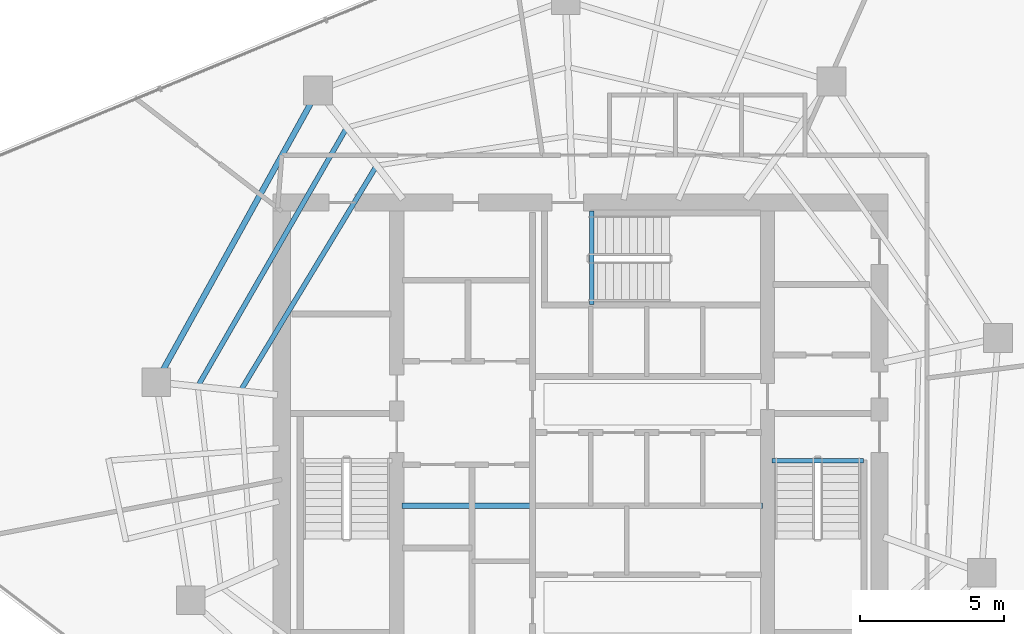
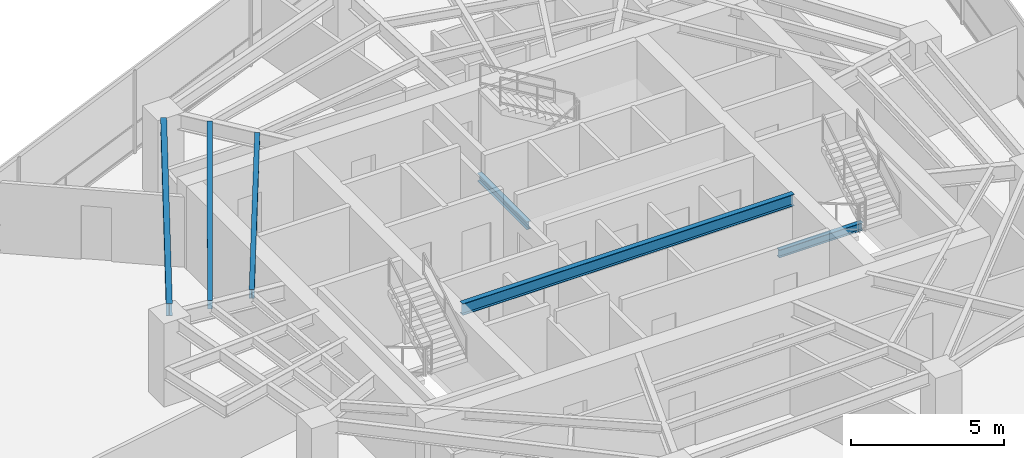
# One storey, part 7 of 20: 6 beams.
"""IFC4 building model written with IfcOpenShell, lengths in metres."""

from ifc_helpers import new_model, si_unit, direction, frame, origin, origin_2d, place, context, subcontext, project, spatial, i_section, extrude, material, material_profile, profile_set, type_object, element, save


model = new_model("IFC4")

# Units and contexts
model_context = context("Model", 3, precision=1e-05, world=origin(), true_north=direction((0.0, 1.0)))
body_context = subcontext(model_context, "Body", "Model", "MODEL_VIEW")
ifc_project = project(units=[si_unit("LENGTHUNIT", "METRE"), si_unit("AREAUNIT", "SQUARE_METRE"), si_unit("VOLUMEUNIT", "CUBIC_METRE"), si_unit("PLANEANGLEUNIT", "RADIAN"), si_unit("MASSUNIT", "GRAM", prefix="KILO")], contexts=[model_context])

# Site, building, storey
site_placement = place(None, origin())
site = spatial("IfcSite", under=ifc_project, at=site_placement, CompositionType="ELEMENT")
building_placement = place(site_placement, origin())
building = spatial("IfcBuilding", under=site, at=building_placement, Name="Qarnah Convention Tower", CompositionType="ELEMENT")
storey_placement = place(building_placement, frame((0.0, 0.0, 150.89990234375)))
storey = spatial("IfcBuildingStorey", under=building, at=storey_placement, Name="L40", CompositionType="ELEMENT", Elevation=150.89990234375)

# Beams
ifc_material = material(Name="Structural steel S355JR", Category="steel")
ifc_material_profile_1 = material_profile(ifc_material, i_section(OverallWidth=0.19189453125, OverallDepth=0.464111328125, WebThickness=0.010986328125, FlangeThickness=0.01806640625, at=origin_2d()), Name="W460X89")
ifc_profile_set_1 = profile_set([ifc_material_profile_1], Name="Structural steel S355JR")
beam_type_1 = type_object("IfcBeamType", Name="BM-CANT-W460A", PredefinedType="BEAM", material=ifc_profile_set_1)
beam_1_placement = place(storey_placement, frame((30.97998046875, 23.64990234375, 3.088134765625), z_axis=(1.0, 0.0, 0.0), x_axis=(0.0, 1.0, 0.0)))
element("IfcBeam", 1, at=beam_1_placement, inside=storey, type_object=beam_type_1, Name="L40 beam BM-L40-KC1", PredefinedType="BEAM", context=body_context, shape_type="SweptSolid", body=[
    extrude(i_section(OverallWidth=0.19189453125, OverallDepth=0.464111328125, WebThickness=0.010986328125, FlangeThickness=0.01806640625, at=origin_2d()), origin(), (0.0, 0.0, 1.0), 12.5400390625),
])
ifc_material_profile_2 = material_profile(ifc_material, i_section(OverallWidth=0.166015625, OverallDepth=0.31201171875, WebThickness=0.007080078125, FlangeThickness=0.010986328125, at=origin_2d()), Name="W310X45")
ifc_profile_set_2 = profile_set([ifc_material_profile_2], Name="Structural steel S355JR")
beam_type_2 = type_object("IfcBeamType", Name="BM-JST-W310", PredefinedType="JOIST", material=ifc_profile_set_2)
beam_2_placement = place(storey_placement, frame((43.860107421875, 25.217041015625, -0.156005859375), z_axis=(1.0, 0.0, 0.0), x_axis=(0.0, 1.0, 0.0)))
element("IfcBeam", 2, at=beam_2_placement, inside=storey, type_object=beam_type_2, Name="L40 stair landing trimmer beam BM-L40-ST2-TRM", PredefinedType="BEAM", context=body_context, shape_type="SweptSolid", body=[
    extrude(i_section(OverallWidth=0.166015625, OverallDepth=0.31201171875, WebThickness=0.007080078125, FlangeThickness=0.010986328125, at=origin_2d()), origin(), (0.0, 0.0, 1.0), 3.179931640625),
])
beam_3_placement = place(storey_placement, frame((37.5830078125, 30.659912109375, -0.156005859375), z_axis=(0.0, 1.0, 0.0), x_axis=(-1.0, 0.0, 0.0)))
element("IfcBeam", 3, at=beam_3_placement, inside=storey, type_object=beam_type_2, Name="L40 stair landing trimmer beam BM-L40-ST3-TRM", PredefinedType="BEAM", context=body_context, shape_type="SweptSolid", body=[
    extrude(i_section(OverallWidth=0.166015625, OverallDepth=0.31201171875, WebThickness=0.007080078125, FlangeThickness=0.010986328125, at=origin_2d()), origin(), (0.0, 0.0, 1.0), 3.239990234375),
])
ifc_material_profile_3 = material_profile(ifc_material, i_section(OverallWidth=0.172119140625, OverallDepth=0.35595703125, WebThickness=0.007080078125, FlangeThickness=0.011962890625, at=origin_2d()), Name="W360X51")
ifc_profile_set_3 = profile_set([ifc_material_profile_3], Name="Structural steel S355JR")
beam_type_3 = type_object("IfcBeamType", Name="BM-JST-W360", PredefinedType="JOIST", material=ifc_profile_set_3)
beam_4_placement = place(storey_placement, frame((29.01806640625, 36.736083984375, 3.14208984375), z_axis=(-0.499001955416, -0.86660085881, 0.0), x_axis=(0.86660085881, -0.499001955416, 0.0)))
element("IfcBeam", 4, at=beam_4_placement, inside=storey, type_object=beam_type_3, Name="L40 joist BM-L40-SJST-04", PredefinedType="JOIST", context=body_context, shape_type="SweptSolid", body=[
    extrude(i_section(OverallWidth=0.172119140625, OverallDepth=0.35595703125, WebThickness=0.007080078125, FlangeThickness=0.011962890625, at=origin_2d()), origin(), (0.0, 0.0, 1.0), 10.220703125),
])
beam_5_placement = place(storey_placement, frame((30.052978515625, 35.410888671875, 3.14208984375), z_axis=(-0.517274041331, -0.855819821087, 0.0), x_axis=(0.855819821087, -0.517274041331, 0.0)))
element("IfcBeam", 5, at=beam_5_placement, inside=storey, type_object=beam_type_3, Name="L40 joist BM-L40-IJST-04", PredefinedType="JOIST", context=body_context, shape_type="SweptSolid", body=[
    extrude(i_section(OverallWidth=0.172119140625, OverallDepth=0.35595703125, WebThickness=0.007080078125, FlangeThickness=0.011962890625, at=origin_2d()), origin(), (0.0, 0.0, 1.0), 8.9853515625),
])
ifc_material_profile_4 = material_profile(ifc_material, i_section(OverallWidth=0.199951171875, OverallDepth=0.5, WebThickness=0.010009765625, FlangeThickness=0.01611328125, at=origin_2d()), Name="IPE500")
ifc_profile_set_4 = profile_set([ifc_material_profile_4], Name="Structural steel S355JR")
beam_type_4 = type_object("IfcBeamType", Name="BM-SPN-IPE500", PredefinedType="SPANDREL", material=ifc_profile_set_4)
beam_6_placement = place(storey_placement, frame((27.819091796875, 37.673095703125, 3.070068359375), z_axis=(-0.48477441757, -0.874639219375, 0.0), x_axis=(0.874639219375, -0.48477441757, 0.0)))
element("IfcBeam", 6, at=beam_6_placement, inside=storey, type_object=beam_type_4, Name="L40 spandrel BM-L40-SPN-04", PredefinedType="SPANDREL", context=body_context, shape_type="SweptSolid", body=[
    extrude(i_section(OverallWidth=0.199951171875, OverallDepth=0.5, WebThickness=0.010009765625, FlangeThickness=0.01611328125, at=origin_2d()), origin(), (0.0, 0.0, 1.0), 10.623779296875),
])

save(model, "model.ifc")
